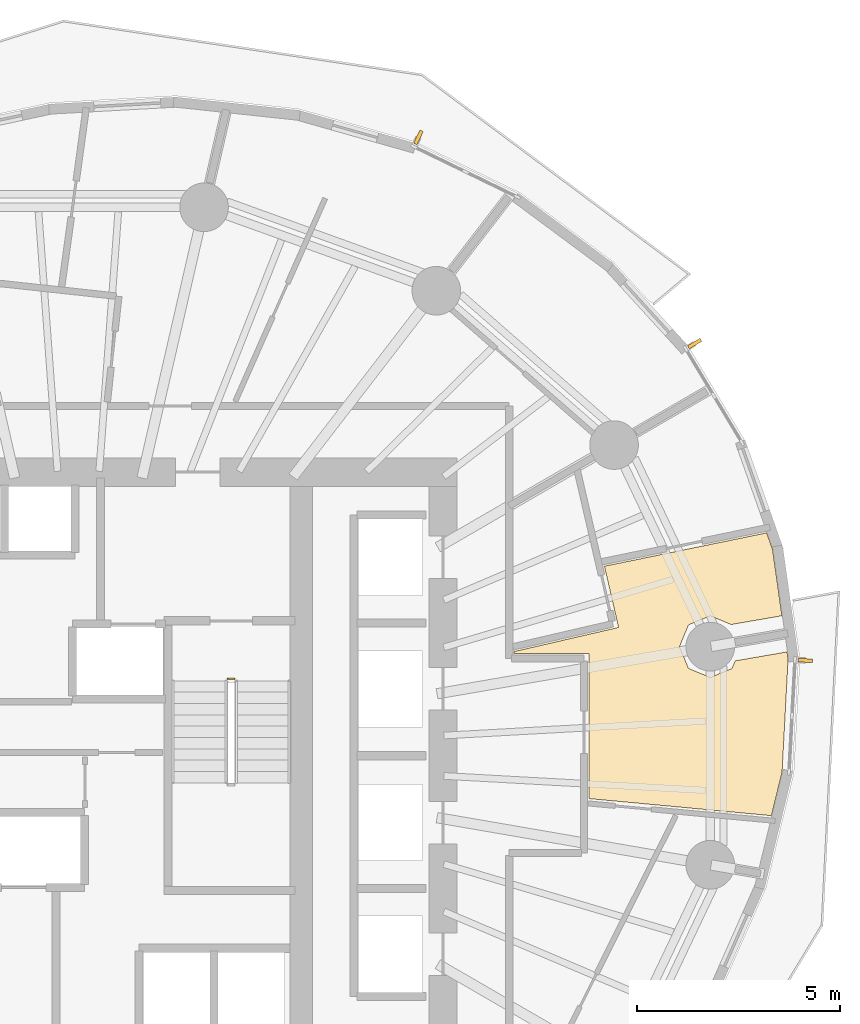
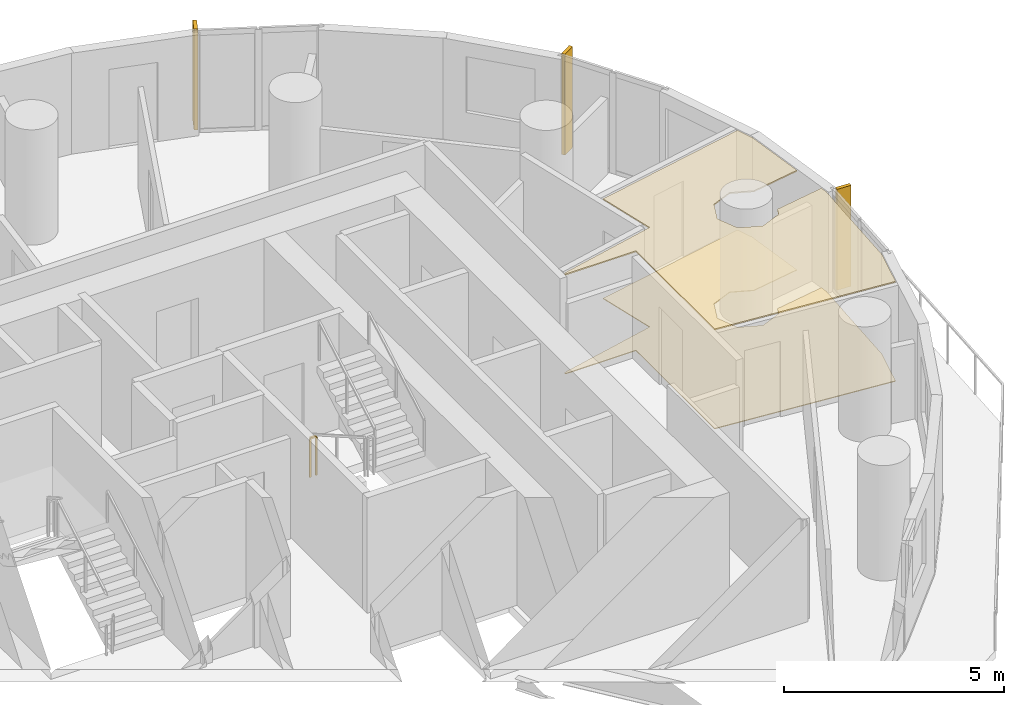
# One storey, part 15 of 15: 3 shading devices, 2 coverings, 1 railing.
"""IFC4 building model written with IfcOpenShell, lengths in metres."""

from ifc_helpers import new_model, si_unit, direction, frame, origin, origin_2d, place, context, subcontext, project, spatial, polyline, rectangle, outline, extrude, material, layer, layer_set, type_object, element, save


model = new_model("IFC4")

# Units and contexts
model_context = context("Model", 3, precision=1e-05, world=origin(), true_north=direction((0.0, 1.0)))
body_context = subcontext(model_context, "Body", "Model", "MODEL_VIEW")
ifc_project = project(units=[si_unit("LENGTHUNIT", "METRE"), si_unit("AREAUNIT", "SQUARE_METRE"), si_unit("VOLUMEUNIT", "CUBIC_METRE"), si_unit("PLANEANGLEUNIT", "RADIAN"), si_unit("MASSUNIT", "GRAM", prefix="KILO")], contexts=[model_context])

# Site, building, storey
site_placement = place(None, origin())
site = spatial("IfcSite", under=ifc_project, at=site_placement, CompositionType="ELEMENT")
building_placement = place(site_placement, origin())
building = spatial("IfcBuilding", under=site, at=building_placement, Name="Veldorim Arch Residences", CompositionType="ELEMENT")
storey_placement = place(building_placement, frame((0.0, 0.0, 109.280029296875)))
storey = spatial("IfcBuildingStorey", under=building, at=storey_placement, Name="L32", CompositionType="ELEMENT", Elevation=109.280029296875)

# Railing
ifc_material_1 = material(Name="Steel S355", Category="steel")
railing_type = type_object("IfcRailingType", Name="Galvanised Steel Stair Safety Guardrail 1100", PredefinedType="GUARDRAIL", material=ifc_material_1)
railing_placement = place(storey_placement, frame((35.68994140625, 25.89990234375, 0.0)))
element("IfcRailing", 1, at=railing_placement, inside=storey, type_object=railing_type, Name="L32 ST-2 stair guard 4", PredefinedType="GUARDRAIL", context=body_context, shape_type="SweptSolid", body=[
    extrude(rectangle(XDim=0.048095703125, YDim=0.048095703125, at=origin_2d()), frame((0.0, 0.0, 1.076171875), z_axis=(1.0, 0.0, 0.0), x_axis=(0.0, 1.0, 0.0)), (0.0, 0.0, 1.0), 0.16015625),
    extrude(rectangle(XDim=0.0419921875, YDim=0.0419921875, at=origin_2d()), origin(), (0.0, 0.0, 1.0), 1.052001953125),
    extrude(rectangle(XDim=0.0419921875, YDim=0.0419921875, at=origin_2d()), frame((0.16015625, 0.0, 0.0)), (0.0, 0.0, 1.0), 1.052001953125),
])

# Coverings
ifc_material_2 = material(Name="Acoustic Gypsum & Mineral Fibre", Category="gypsum")
ifc_layer_1 = layer(ifc_material_2, 0.034912109375, Name="Perforated Acoustic Mineral-Fibre Ceiling 35")
ifc_layer_set_1 = layer_set([ifc_layer_1], Name="Acoustic Gypsum & Mineral Fibre")
covering_type_1 = type_object("IfcCoveringType", Name="Perforated Acoustic Mineral-Fibre Ceiling 35", PredefinedType="CEILING", material=ifc_layer_set_1)
covering_1_placement = place(storey_placement, frame((0.0, 0.0, 2.744873046875)))
element("IfcCovering", 2, at=covering_1_placement, inside=storey, type_object=covering_type_1, Name="L32 acoustic suspended ceiling 02", PredefinedType="CEILING", context=body_context, shape_type="SweptSolid", body=[
    extrude(outline(polyline([(47.594482421875, 25.932373046875), (48.1318359375, 26.15478515625), (48.209228515625, 26.341796875), (49.489013671875, 26.5625), (49.5146484375, 26.380859375), (49.366943359375, 23.600830078125), (49.10400390625, 22.521240234375), (44.60009765625, 22.9423828125), (44.60009765625, 26.52001953125), (42.75, 26.52001953125), (42.75, 26.569580078125), (45.331787109375, 27.1669921875), (44.982421875, 28.677001953125), (48.986083984375, 29.50048828125), (49.132080078125, 29.0869140625), (49.36279296875, 27.4541015625), (48.111083984375, 27.238037109375), (47.594482421875, 27.4521484375), (47.05712890625, 27.2294921875), (46.834716796875, 26.692138671875), (47.05712890625, 26.15478515625), (47.594482421875, 25.932373046875)])), origin(), (0.0, 0.0, 1.0), 0.03515625),
])
ifc_material_3 = material(Name="Porcelain Ceramic Tile", Category="ceramic")
ifc_layer_2 = layer(ifc_material_3, 0.02001953125, Name="Slip-Resistant Porcelain & Vinyl Floor Finish 20")
ifc_layer_set_2 = layer_set([ifc_layer_2], Name="Porcelain Ceramic Tile")
covering_type_2 = type_object("IfcCoveringType", Name="Slip-Resistant Porcelain & Vinyl Floor Finish 20", PredefinedType="FLOORING", material=ifc_layer_set_2)
covering_2_placement = place(storey_placement, origin())
element("IfcCovering", 3, at=covering_2_placement, inside=storey, type_object=covering_type_2, Name="L32 porcelain floor finish 02", PredefinedType="FLOORING", context=body_context, shape_type="SweptSolid", body=[
    extrude(outline(polyline([(47.594482421875, 25.932373046875), (48.1318359375, 26.15478515625), (48.209228515625, 26.341796875), (49.489013671875, 26.5625), (49.5146484375, 26.380859375), (49.366943359375, 23.600830078125), (49.10400390625, 22.521240234375), (44.60009765625, 22.9423828125), (44.60009765625, 26.52001953125), (42.75, 26.52001953125), (42.75, 26.569580078125), (45.331787109375, 27.1669921875), (44.982421875, 28.677001953125), (48.986083984375, 29.50048828125), (49.132080078125, 29.0869140625), (49.36279296875, 27.4541015625), (48.111083984375, 27.238037109375), (47.594482421875, 27.4521484375), (47.05712890625, 27.2294921875), (46.834716796875, 26.692138671875), (47.05712890625, 26.15478515625), (47.594482421875, 25.932373046875)])), origin(), (0.0, 0.0, 1.0), 0.02001953125),
])

# Shading devices
ifc_material_4 = material(Name="Terracotta Ceramic", Category="masonry")
ifc_layer_3 = layer(ifc_material_4, 0.090087890625, Name="Vertical Extruded Terracotta Baguette Sun-Shading Fin")
ifc_layer_set_3 = layer_set([ifc_layer_3], Name="Terracotta Ceramic")
shading_device_type = type_object("IfcShadingDeviceType", Name="Vertical Extruded Terracotta Baguette Sun-Shading Fin", PredefinedType="USERDEFINED", material=ifc_layer_set_3)
for number, where, z_axis, x_axis, name in (
    (4, (47.209716796875, 34.17236328125, 0.0), (0.0, 0.0, 1.0), (0.514439533782, -0.857526656194, 0.0), "L32 vertical terracotta sun-shading fin 01"),
    (5, (40.393310546875, 39.26220703125, 0.0), (0.0, 0.0, 1.0), (0.899481528961, -0.436958784165, 0.0), "L32 vertical terracotta sun-shading fin 04"),
    (6, (49.941162109375, 26.350830078125, 0.0), (0.0, 0.0, 1.0), (-0.053033118368, -0.998592754007, 0.0), "L32 vertical terracotta sun-shading fin 34"),
):
    element("IfcShadingDevice", number, at=place(storey_placement, frame(where, z_axis=z_axis, x_axis=x_axis)), inside=storey, type_object=shading_device_type, Name=name, ObjectType="FIN", PredefinedType="USERDEFINED", context=body_context, shape_type="SweptSolid", body=[
        extrude(rectangle(XDim=0.090087890625, YDim=0.360107421875, at=origin_2d()), origin(), (0.0, 0.0, 1.0), 2.800048828125),
    ])

save(model, "model.ifc")
